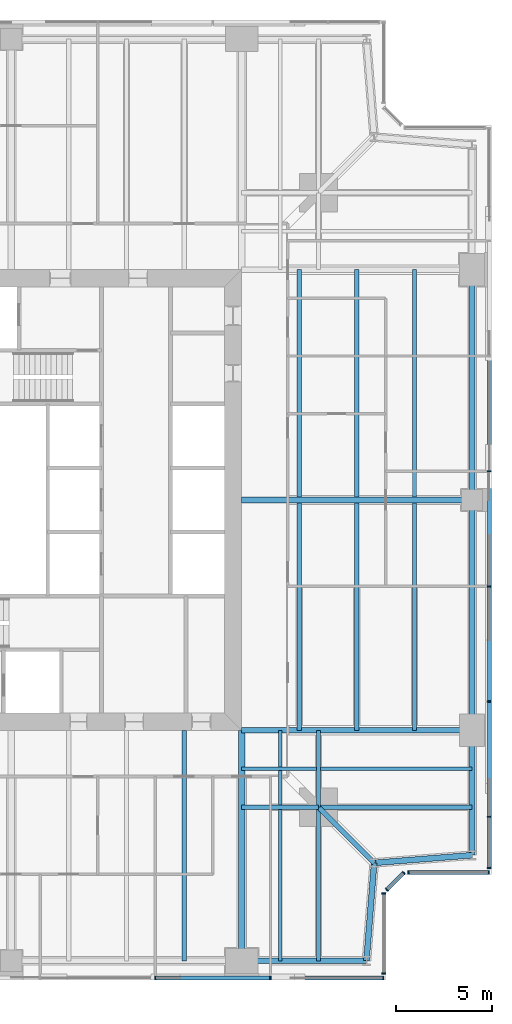
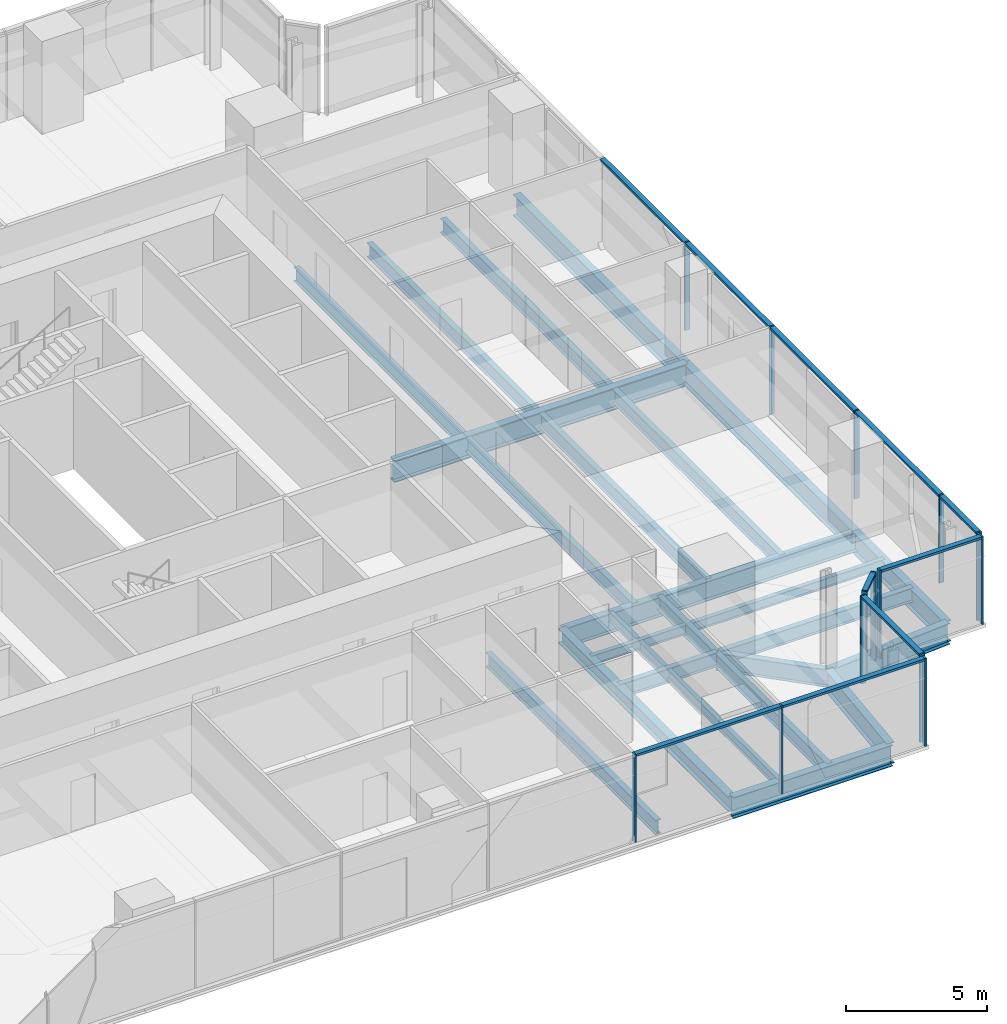
# One storey, part 5 of 15: 26 beams, 24 members, 5 elements without a shape of their own.
"""IFC4 building model written with IfcOpenShell, lengths in metres."""

from ifc_helpers import new_model, si_unit, direction, frame, origin, origin_2d, place, context, subcontext, project, spatial, rectangle, i_section, extrude, material, material_profile, profile_set, type_object, element, aggregate, save


model = new_model("IFC4")

# Units and contexts
model_context = context("Model", 3, precision=1e-05, world=origin(), true_north=direction((0.0, 1.0)))
body_context = subcontext(model_context, "Body", "Model", "MODEL_VIEW")
ifc_project = project(units=[si_unit("LENGTHUNIT", "METRE"), si_unit("AREAUNIT", "SQUARE_METRE"), si_unit("VOLUMEUNIT", "CUBIC_METRE"), si_unit("PLANEANGLEUNIT", "RADIAN"), si_unit("MASSUNIT", "GRAM", prefix="KILO")], contexts=[model_context])

# Site, building, storey
site_placement = place(None, origin())
site = spatial("IfcSite", under=ifc_project, at=site_placement, CompositionType="ELEMENT")
building_placement = place(site_placement, origin())
building = spatial("IfcBuilding", under=site, at=building_placement, Name="Fenwick Lantern Interchange", CompositionType="ELEMENT")
storey_placement = place(building_placement, frame((0.0, 0.0, 229.800048828125)))
storey = spatial("IfcBuildingStorey", under=building, at=storey_placement, Name="L54", CompositionType="ELEMENT", Elevation=229.800048828125)

# Beams
ifc_material_1 = material(Name="Steel ASTM A992 Grade 50", Category="steel")
ifc_material_profile_1 = material_profile(ifc_material_1, i_section(OverallWidth=0.3046875, OverallDepth=0.911865234375, WebThickness=0.015869140625, FlangeThickness=0.02392578125, at=origin_2d()), Name="W36X150")
ifc_profile_set_1 = profile_set([ifc_material_profile_1], Name="Steel ASTM A992 Grade 50")
beam_type_1 = type_object("IfcBeamType", Name="EDGE BEAM W36X150", PredefinedType="SPANDREL", material=ifc_profile_set_1)
beam_1_placement = place(storey_placement, frame((37.0, 1.0, -0.60595703125), z_axis=(1.0, 0.0, 0.0), x_axis=(0.0, 1.0, 0.0)))
element("IfcBeam", 1, at=beam_1_placement, inside=storey, type_object=beam_type_1, Name="L54/FR/S/EB4", PredefinedType="SPANDREL", context=body_context, shape_type="SweptSolid", body=[
    extrude(i_section(OverallWidth=0.3046875, OverallDepth=0.911865234375, WebThickness=0.015869140625, FlangeThickness=0.02392578125, at=origin_2d()), origin(), (0.0, 0.0, 1.0), 6.5),
])
for number, where, z_axis, x_axis, name in (
    (2, (43.5, 1.0, -0.60595703125), (0.078170784639, 0.99693998236, 0.0), (-0.99693998236, 0.078170784639, 0.0), "L54/FR/S/EBR1"),
    (3, (43.89990234375, 6.10009765625, -0.60595703125), (0.99693998236, 0.078170784639, 0.0), (-0.078170784639, 0.99693998236, 0.0), "L54/FR/S/EBR2"),
):
    element("IfcBeam", number, at=place(storey_placement, frame(where, z_axis=z_axis, x_axis=x_axis)), inside=storey, type_object=beam_type_1, Name=name, PredefinedType="SPANDREL", context=body_context, shape_type="SweptSolid", body=[
        extrude(i_section(OverallWidth=0.3046875, OverallDepth=0.911865234375, WebThickness=0.015869140625, FlangeThickness=0.02392578125, at=origin_2d()), origin(), (0.0, 0.0, 1.0), 5.11572265625),
    ])
beam_2_placement = place(storey_placement, frame((49.0, 6.5, -0.60595703125), z_axis=(0.0, 1.0, 0.0), x_axis=(-1.0, 0.0, 0.0)))
element("IfcBeam", 4, at=beam_2_placement, inside=storey, type_object=beam_type_1, Name="L54/FR/E/EB1", PredefinedType="SPANDREL", context=body_context, shape_type="SweptSolid", body=[
    extrude(i_section(OverallWidth=0.3046875, OverallDepth=0.911865234375, WebThickness=0.015869140625, FlangeThickness=0.02392578125, at=origin_2d()), origin(), (0.0, 0.0, 1.0), 6.5),
])
for number, where, z_axis, x_axis, name in (
    (5, (49.0, 13.0, -0.60595703125), (0.0, 1.0, 0.0), (-1.0, 0.0, 0.0), "L54/FR/E/EB2"),
    (6, (49.0, 25.0, -0.60595703125), (0.0, 1.0, 0.0), (-1.0, 0.0, 0.0), "L54/FR/E/EB3"),
):
    element("IfcBeam", number, at=place(storey_placement, frame(where, z_axis=z_axis, x_axis=x_axis)), inside=storey, type_object=beam_type_1, Name=name, PredefinedType="SPANDREL", context=body_context, shape_type="SweptSolid", body=[
        extrude(i_section(OverallWidth=0.3046875, OverallDepth=0.911865234375, WebThickness=0.015869140625, FlangeThickness=0.02392578125, at=origin_2d()), origin(), (0.0, 0.0, 1.0), 12.0),
    ])
ifc_material_profile_2 = material_profile(ifc_material_1, i_section(OverallWidth=0.22900390625, OverallDepth=0.612060546875, WebThickness=0.011962890625, FlangeThickness=0.01953125, at=origin_2d()), Name="W24X84")
ifc_profile_set_2 = profile_set([ifc_material_profile_2], Name="Steel ASTM A992 Grade 50")
beam_type_2 = type_object("IfcBeamType", Name="FLOOR BEAM W24X84", PredefinedType="BEAM", material=ifc_profile_set_2)
beam_3_placement = place(storey_placement, frame((34.0, 1.0, -0.4560546875), z_axis=(0.0, 1.0, 0.0), x_axis=(-1.0, 0.0, 0.0)))
element("IfcBeam", 7, at=beam_3_placement, inside=storey, type_object=beam_type_2, Name="L54/FR/S/R08", PredefinedType="BEAM", context=body_context, shape_type="SweptSolid", body=[
    extrude(i_section(OverallWidth=0.22900390625, OverallDepth=0.612060546875, WebThickness=0.011962890625, FlangeThickness=0.01953125, at=origin_2d()), origin(), (0.0, 0.0, 1.0), 12.0),
])
for number, where, z_axis, x_axis, name in (
    (8, (46.0, 13.0, -0.4560546875), (0.0, 1.0, 0.0), (-1.0, 0.0, 0.0), "L54/FR/E/B01"),
    (9, (43.0, 13.0, -0.4560546875), (0.0, 1.0, 0.0), (-1.0, 0.0, 0.0), "L54/FR/E/B02"),
    (10, (40.0, 13.0, -0.4560546875), (0.0, 1.0, 0.0), (-1.0, 0.0, 0.0), "L54/FR/E/B03"),
    (11, (46.0, 25.155029296875, -0.4560546875), (0.0, 1.0, 0.0), (-1.0, 0.0, 0.0), "L54/FR/E/B04"),
    (12, (43.0, 25.155029296875, -0.4560546875), (0.0, 1.0, 0.0), (-1.0, 0.0, 0.0), "L54/FR/E/B05"),
    (13, (40.0, 25.155029296875, -0.4560546875), (0.0, 1.0, 0.0), (-1.0, 0.0, 0.0), "L54/FR/E/B06"),
):
    element("IfcBeam", number, at=place(storey_placement, frame(where, z_axis=z_axis, x_axis=x_axis)), inside=storey, type_object=beam_type_2, Name=name, PredefinedType="BEAM", context=body_context, shape_type="SweptSolid", body=[
        extrude(i_section(OverallWidth=0.22900390625, OverallDepth=0.612060546875, WebThickness=0.011962890625, FlangeThickness=0.01953125, at=origin_2d()), origin(), (0.0, 0.0, 1.0), 11.844970703125),
    ])
ifc_material_profile_3 = material_profile(ifc_material_1, i_section(OverallWidth=0.177734375, OverallDepth=0.406494140625, WebThickness=0.0078125, FlangeThickness=0.012939453125, at=origin_2d()), Name="W16X40")
ifc_profile_set_3 = profile_set([ifc_material_profile_3], Name="Steel ASTM A992 Grade 50")
beam_type_3 = type_object("IfcBeamType", Name="INFILL BEAM W16X40", PredefinedType="JOIST", material=ifc_profile_set_3)
beam_4_placement = place(storey_placement, frame((49.0, 11.0, -0.353271484375), z_axis=(-1.0, 0.0, 0.0), x_axis=(0.0, -1.0, 0.0)))
element("IfcBeam", 14, at=beam_4_placement, inside=storey, type_object=beam_type_3, Name="L54/FR/E/J1", PredefinedType="JOIST", context=body_context, shape_type="SweptSolid", body=[
    extrude(i_section(OverallWidth=0.177734375, OverallDepth=0.406494140625, WebThickness=0.0078125, FlangeThickness=0.012939453125, at=origin_2d()), origin(), (0.0, 0.0, 1.0), 7.885498046875),
])
beam_5_placement = place(storey_placement, frame((40.885498046875, 11.0, -0.353271484375), z_axis=(-1.0, 0.0, 0.0), x_axis=(0.0, -1.0, 0.0)))
element("IfcBeam", 15, at=beam_5_placement, inside=storey, type_object=beam_type_3, Name="L54/FR/E/J2", PredefinedType="JOIST", context=body_context, shape_type="SweptSolid", body=[
    extrude(i_section(OverallWidth=0.177734375, OverallDepth=0.406494140625, WebThickness=0.0078125, FlangeThickness=0.012939453125, at=origin_2d()), origin(), (0.0, 0.0, 1.0), 3.885498046875),
])
beam_6_placement = place(storey_placement, frame((39.0, 1.0, -0.353271484375), z_axis=(0.0, 1.0, 0.0), x_axis=(-1.0, 0.0, 0.0)))
element("IfcBeam", 16, at=beam_6_placement, inside=storey, type_object=beam_type_3, Name="L54/FR/E/J3", PredefinedType="JOIST", context=body_context, shape_type="SweptSolid", body=[
    extrude(i_section(OverallWidth=0.177734375, OverallDepth=0.406494140625, WebThickness=0.0078125, FlangeThickness=0.012939453125, at=origin_2d()), origin(), (0.0, 0.0, 1.0), 7.885498046875),
])
beam_7_placement = place(storey_placement, frame((39.0, 9.114501953125, -0.353271484375), z_axis=(0.0, 1.0, 0.0), x_axis=(-1.0, 0.0, 0.0)))
element("IfcBeam", 17, at=beam_7_placement, inside=storey, type_object=beam_type_3, Name="L54/FR/E/J4", PredefinedType="JOIST", context=body_context, shape_type="SweptSolid", body=[
    extrude(i_section(OverallWidth=0.177734375, OverallDepth=0.406494140625, WebThickness=0.0078125, FlangeThickness=0.012939453125, at=origin_2d()), origin(), (0.0, 0.0, 1.0), 1.796630859375),
])
beam_8_placement = place(storey_placement, frame((39.0, 11.0888671875, -0.353271484375), z_axis=(0.0, 1.0, 0.0), x_axis=(-1.0, 0.0, 0.0)))
element("IfcBeam", 18, at=beam_8_placement, inside=storey, type_object=beam_type_3, Name="L54/FR/E/J5", PredefinedType="JOIST", context=body_context, shape_type="SweptSolid", body=[
    extrude(i_section(OverallWidth=0.177734375, OverallDepth=0.406494140625, WebThickness=0.0078125, FlangeThickness=0.012939453125, at=origin_2d()), origin(), (0.0, 0.0, 1.0), 1.9111328125),
])
ifc_material_profile_4 = material_profile(ifc_material_1, i_section(OverallWidth=0.22900390625, OverallDepth=0.612060546875, WebThickness=0.011962890625, FlangeThickness=0.01953125, at=origin_2d()), Name="W24X84")
ifc_profile_set_4 = profile_set([ifc_material_profile_4], Name="Steel ASTM A992 Grade 50")
beam_type_4 = type_object("IfcBeamType", Name="MEGA COLUMN BEAM W24X84", PredefinedType="BEAM", material=ifc_profile_set_4)
for number, where, z_axis, x_axis, name in (
    (19, (41.0, 9.0, -0.4560546875), (1.0, 0.0, 0.0), (0.0, 1.0, 0.0), "L54/FR/E/MB1"),
    (20, (41.0, 9.0, -0.4560546875), (0.0, -1.0, 0.0), (1.0, 0.0, 0.0), "L54/FR/E/MB2"),
):
    element("IfcBeam", number, at=place(storey_placement, frame(where, z_axis=z_axis, x_axis=x_axis)), inside=storey, type_object=beam_type_4, Name=name, PredefinedType="BEAM", context=body_context, shape_type="SweptSolid", body=[
        extrude(i_section(OverallWidth=0.22900390625, OverallDepth=0.612060546875, WebThickness=0.011962890625, FlangeThickness=0.01953125, at=origin_2d()), origin(), (0.0, 0.0, 1.0), 8.0),
    ])
for number, where, z_axis, x_axis, name in (
    (21, (41.0, 9.0, -0.4560546875), (0.0, 1.0, 0.0), (-1.0, 0.0, 0.0), "L54/FR/E/MB3"),
    (22, (41.0, 9.0, -0.4560546875), (-1.0, 0.0, 0.0), (0.0, -1.0, 0.0), "L54/FR/E/MB4"),
):
    element("IfcBeam", number, at=place(storey_placement, frame(where, z_axis=z_axis, x_axis=x_axis)), inside=storey, type_object=beam_type_4, Name=name, PredefinedType="BEAM", context=body_context, shape_type="SweptSolid", body=[
        extrude(i_section(OverallWidth=0.22900390625, OverallDepth=0.612060546875, WebThickness=0.011962890625, FlangeThickness=0.01953125, at=origin_2d()), origin(), (0.0, 0.0, 1.0), 4.0),
    ])
ifc_material_profile_5 = material_profile(ifc_material_1, i_section(OverallWidth=0.32763671875, OverallDepth=0.622314453125, WebThickness=0.015380859375, FlangeThickness=0.0244140625, at=origin_2d()), Name="W24X131")
ifc_profile_set_5 = profile_set([ifc_material_profile_5], Name="Steel ASTM A992 Grade 50")
beam_type_5 = type_object("IfcBeamType", Name="MOMENT-CONNECTED GIRDER W24X131", PredefinedType="BEAM", material=ifc_profile_set_5)
beam_9_placement = place(storey_placement, frame((37.0, 1.0, -0.461181640625), z_axis=(0.0, 1.0, 0.0), x_axis=(-1.0, 0.0, 0.0)))
element("IfcBeam", 23, at=beam_9_placement, inside=storey, type_object=beam_type_5, Name="L54/FR/S/R09", PredefinedType="BEAM", context=body_context, shape_type="SweptSolid", body=[
    extrude(i_section(OverallWidth=0.32763671875, OverallDepth=0.622314453125, WebThickness=0.015380859375, FlangeThickness=0.0244140625, at=origin_2d()), origin(), (0.0, 0.0, 1.0), 12.0),
])
ifc_material_profile_6 = material_profile(ifc_material_1, i_section(OverallWidth=0.2919921875, OverallDepth=0.845703125, WebThickness=0.015380859375, FlangeThickness=0.0244140625, at=origin_2d()), Name="W33X141")
ifc_profile_set_6 = profile_set([ifc_material_profile_6], Name="Steel ASTM A992 Grade 50")
beam_type_6 = type_object("IfcBeamType", Name="MOMENT-CONNECTED GIRDER W33X141", PredefinedType="BEAM", material=ifc_profile_set_6)
beam_10_placement = place(storey_placement, frame((49.0, 13.0, -0.572998046875), z_axis=(-1.0, 0.0, 0.0), x_axis=(0.0, -1.0, 0.0)))
element("IfcBeam", 24, at=beam_10_placement, inside=storey, type_object=beam_type_6, Name="L54/FR/E/R01", PredefinedType="BEAM", context=body_context, shape_type="SweptSolid", body=[
    extrude(i_section(OverallWidth=0.2919921875, OverallDepth=0.845703125, WebThickness=0.015380859375, FlangeThickness=0.0244140625, at=origin_2d()), origin(), (0.0, 0.0, 1.0), 12.0),
])
ifc_material_profile_7 = material_profile(ifc_material_1, i_section(OverallWidth=0.309814453125, OverallDepth=0.949951171875, WebThickness=0.0244140625, FlangeThickness=0.0439453125, at=origin_2d()), Name="W36X256")
ifc_profile_set_7 = profile_set([ifc_material_profile_7], Name="Steel ASTM A992 Grade 50")
beam_type_7 = type_object("IfcBeamType", Name="MOMENT-CONNECTED GIRDER W36X256", PredefinedType="BEAM", material=ifc_profile_set_7)
beam_11_placement = place(storey_placement, frame((49.0, 25.0, -0.625), z_axis=(-1.0, 0.0, 0.0), x_axis=(0.0, -1.0, 0.0)))
element("IfcBeam", 25, at=beam_11_placement, inside=storey, type_object=beam_type_7, Name="L54/FR/E/R02", PredefinedType="BEAM", context=body_context, shape_type="SweptSolid", body=[
    extrude(i_section(OverallWidth=0.309814453125, OverallDepth=0.949951171875, WebThickness=0.0244140625, FlangeThickness=0.0439453125, at=origin_2d()), origin(), (0.0, 0.0, 1.0), 12.0),
])
ifc_material_profile_8 = material_profile(ifc_material_1, i_section(OverallWidth=0.2666015625, OverallDepth=0.7568359375, WebThickness=0.013916015625, FlangeThickness=0.019287109375, at=origin_2d()), Name="W30X108")
ifc_profile_set_8 = profile_set([ifc_material_profile_8], Name="Steel ASTM A992 Grade 50")
beam_type_8 = type_object("IfcBeamType", Name="NOTCH BEAM W30X108", PredefinedType="BEAM", material=ifc_profile_set_8)
beam_12_placement = place(storey_placement, frame((41.0, 9.0, -0.528564453125), z_axis=(0.707106781187, -0.707106781187, 0.0), x_axis=(0.707106781187, 0.707106781187, 0.0)))
element("IfcBeam", 26, at=beam_12_placement, inside=storey, type_object=beam_type_8, Name="L54/FR/E/TG", PredefinedType="BEAM", context=body_context, shape_type="SweptSolid", body=[
    extrude(i_section(OverallWidth=0.2666015625, OverallDepth=0.7568359375, WebThickness=0.013916015625, FlangeThickness=0.019287109375, at=origin_2d()), origin(), (0.0, 0.0, 1.0), 4.10107421875),
])

# Curtain wall, members
ifc_material_2 = material(Name="Aluminium curtain wall frame", Category="aluminium")
curtain_wall_type = type_object("IfcCurtainWallType", Name="OFFICE CURTAIN WALL", PredefinedType="USERDEFINED", material=ifc_material_2)
curtain_wall_1_placement = place(storey_placement, origin())
curtain_wall_1 = element("IfcCurtainWall", 27, at=curtain_wall_1_placement, inside=storey, type_object=curtain_wall_type, Name="Office curtain wall 01", ObjectType="OFFICE CURTAIN WALL", PredefinedType="USERDEFINED")
ifc_material_3 = material(Name="Aluminium extrusion", Category="aluminium")
ifc_material_profile_9 = material_profile(ifc_material_3, rectangle(XDim=0.199951171875, YDim=0.06494140625, at=origin_2d()), Name="OFFICE CURTAIN WALL MULLION 65 X 200")
ifc_profile_set_9 = profile_set([ifc_material_profile_9], Name="Aluminium extrusion")
member_type_1 = type_object("IfcMemberType", Name="OFFICE CURTAIN WALL MULLION 65 X 200", PredefinedType="MULLION", material=ifc_profile_set_9)
member_1_placement = place(storey_placement, frame((32.5, 0.10009765625, 0.0), z_axis=(0.0, 0.0, 1.0), x_axis=(0.0, 1.0, 0.0)))
member_1 = element("IfcMember", 28, at=member_1_placement, type_object=member_type_1, Name="L54/CW/01/M05", PredefinedType="MULLION", context=body_context, shape_type="SweptSolid", body=[
    extrude(rectangle(XDim=0.199951171875, YDim=0.06494140625, at=origin_2d()), origin(), (0.0, 0.0, 1.0), 3.800048828125),
])
member_2_placement = place(storey_placement, frame((38.5, 0.10009765625, 0.0), z_axis=(0.0, 0.0, 1.0), x_axis=(0.0, 1.0, 0.0)))
member_2 = element("IfcMember", 29, at=member_2_placement, type_object=member_type_1, Name="L54/CW/01/M06", PredefinedType="MULLION", context=body_context, shape_type="SweptSolid", body=[
    extrude(rectangle(XDim=0.199951171875, YDim=0.06494140625, at=origin_2d()), origin(), (0.0, 0.0, 1.0), 3.800048828125),
])
member_3_placement = place(storey_placement, frame((44.367431640625, 0.10009765625, 0.0), z_axis=(0.0, 0.0, 1.0), x_axis=(0.0, 1.0, 0.0)))
member_3 = element("IfcMember", 30, at=member_3_placement, type_object=member_type_1, Name="L54/CW/01/M07", PredefinedType="MULLION", context=body_context, shape_type="SweptSolid", body=[
    extrude(rectangle(XDim=0.199951171875, YDim=0.06494140625, at=origin_2d()), origin(), (0.0, 0.0, 1.0), 3.800048828125),
])

curtain_wall_2_placement = place(storey_placement, origin())
curtain_wall_2 = element("IfcCurtainWall", 31, at=curtain_wall_2_placement, inside=storey, type_object=curtain_wall_type, Name="Office curtain wall 02", ObjectType="OFFICE CURTAIN WALL", PredefinedType="USERDEFINED")
member_4_placement = place(storey_placement, frame((44.39990234375, 0.33251953125, 0.0), z_axis=(0.0, 0.0, 1.0), x_axis=(-1.0, 0.0, 0.0)))
member_4 = element("IfcMember", 32, at=member_4_placement, type_object=member_type_1, Name="L54/CW/02/M00", PredefinedType="MULLION", context=body_context, shape_type="SweptSolid", body=[
    extrude(rectangle(XDim=0.199951171875, YDim=0.06494140625, at=origin_2d()), origin(), (0.0, 0.0, 1.0), 3.800048828125),
])
member_5_placement = place(storey_placement, frame((44.39990234375, 4.509033203125, 0.0), z_axis=(0.0, 0.0, 1.0), x_axis=(-1.0, 0.0, 0.0)))
member_5 = element("IfcMember", 33, at=member_5_placement, type_object=member_type_1, Name="L54/CW/02/M01", PredefinedType="MULLION", context=body_context, shape_type="SweptSolid", body=[
    extrude(rectangle(XDim=0.199951171875, YDim=0.06494140625, at=origin_2d()), origin(), (0.0, 0.0, 1.0), 3.800048828125),
])

curtain_wall_3_placement = place(storey_placement, origin())
curtain_wall_3 = element("IfcCurtainWall", 34, at=curtain_wall_3_placement, inside=storey, type_object=curtain_wall_type, Name="Office curtain wall 03", ObjectType="OFFICE CURTAIN WALL", PredefinedType="USERDEFINED")
member_6_placement = place(storey_placement, frame((44.564453125, 4.705810546875, 0.0), z_axis=(0.0, 0.0, 1.0), x_axis=(-0.707106781187, 0.707106781187, 0.0)))
member_6 = element("IfcMember", 35, at=member_6_placement, type_object=member_type_1, Name="L54/CW/03/M00", PredefinedType="MULLION", context=body_context, shape_type="SweptSolid", body=[
    extrude(rectangle(XDim=0.199951171875, YDim=0.06494140625, at=origin_2d()), origin(), (0.0, 0.0, 1.0), 3.800048828125),
])
member_7_placement = place(storey_placement, frame((45.435546875, 5.576904296875, 0.0), z_axis=(0.0, 0.0, 1.0), x_axis=(-0.707106781187, 0.707106781187, 0.0)))
member_7 = element("IfcMember", 36, at=member_7_placement, type_object=member_type_1, Name="L54/CW/03/M01", PredefinedType="MULLION", context=body_context, shape_type="SweptSolid", body=[
    extrude(rectangle(XDim=0.199951171875, YDim=0.06494140625, at=origin_2d()), origin(), (0.0, 0.0, 1.0), 3.800048828125),
])

curtain_wall_4_placement = place(storey_placement, origin())
curtain_wall_4 = element("IfcCurtainWall", 37, at=curtain_wall_4_placement, inside=storey, type_object=curtain_wall_type, Name="Office curtain wall 04", ObjectType="OFFICE CURTAIN WALL", PredefinedType="USERDEFINED")
member_8_placement = place(storey_placement, frame((45.691162109375, 5.60009765625, 0.0), z_axis=(0.0, 0.0, 1.0), x_axis=(0.0, 1.0, 0.0)))
member_8 = element("IfcMember", 38, at=member_8_placement, type_object=member_type_1, Name="L54/CW/04/M00", PredefinedType="MULLION", context=body_context, shape_type="SweptSolid", body=[
    extrude(rectangle(XDim=0.199951171875, YDim=0.06494140625, at=origin_2d()), origin(), (0.0, 0.0, 1.0), 3.800048828125),
])
member_9_placement = place(storey_placement, frame((49.867431640625, 5.60009765625, 0.0), z_axis=(0.0, 0.0, 1.0), x_axis=(0.0, 1.0, 0.0)))
member_9 = element("IfcMember", 39, at=member_9_placement, type_object=member_type_1, Name="L54/CW/04/M01", PredefinedType="MULLION", context=body_context, shape_type="SweptSolid", body=[
    extrude(rectangle(XDim=0.199951171875, YDim=0.06494140625, at=origin_2d()), origin(), (0.0, 0.0, 1.0), 3.800048828125),
])

curtain_wall_5_placement = place(storey_placement, origin())
curtain_wall_5 = element("IfcCurtainWall", 40, at=curtain_wall_5_placement, inside=storey, type_object=curtain_wall_type, Name="Office curtain wall 05", ObjectType="OFFICE CURTAIN WALL", PredefinedType="USERDEFINED")
member_10_placement = place(storey_placement, frame((49.89990234375, 5.83251953125, 0.0), z_axis=(0.0, 0.0, 1.0), x_axis=(-1.0, 0.0, 0.0)))
member_10 = element("IfcMember", 41, at=member_10_placement, type_object=member_type_1, Name="L54/CW/05/M00", PredefinedType="MULLION", context=body_context, shape_type="SweptSolid", body=[
    extrude(rectangle(XDim=0.199951171875, YDim=0.06494140625, at=origin_2d()), origin(), (0.0, 0.0, 1.0), 3.800048828125),
])
member_11_placement = place(storey_placement, frame((49.89990234375, 8.5, 0.0), z_axis=(0.0, 0.0, 1.0), x_axis=(-1.0, 0.0, 0.0)))
member_11 = element("IfcMember", 42, at=member_11_placement, type_object=member_type_1, Name="L54/CW/05/M01", PredefinedType="MULLION", context=body_context, shape_type="SweptSolid", body=[
    extrude(rectangle(XDim=0.199951171875, YDim=0.06494140625, at=origin_2d()), origin(), (0.0, 0.0, 1.0), 3.800048828125),
])
member_12_placement = place(storey_placement, frame((49.89990234375, 14.5, 0.0), z_axis=(0.0, 0.0, 1.0), x_axis=(-1.0, 0.0, 0.0)))
member_12 = element("IfcMember", 43, at=member_12_placement, type_object=member_type_1, Name="L54/CW/05/M02", PredefinedType="MULLION", context=body_context, shape_type="SweptSolid", body=[
    extrude(rectangle(XDim=0.199951171875, YDim=0.06494140625, at=origin_2d()), origin(), (0.0, 0.0, 1.0), 3.800048828125),
])
member_13_placement = place(storey_placement, frame((49.89990234375, 20.5, 0.0), z_axis=(0.0, 0.0, 1.0), x_axis=(-1.0, 0.0, 0.0)))
member_13 = element("IfcMember", 44, at=member_13_placement, type_object=member_type_1, Name="L54/CW/05/M03", PredefinedType="MULLION", context=body_context, shape_type="SweptSolid", body=[
    extrude(rectangle(XDim=0.199951171875, YDim=0.06494140625, at=origin_2d()), origin(), (0.0, 0.0, 1.0), 3.800048828125),
])
member_14_placement = place(storey_placement, frame((49.89990234375, 26.5, 0.0), z_axis=(0.0, 0.0, 1.0), x_axis=(-1.0, 0.0, 0.0)))
member_14 = element("IfcMember", 45, at=member_14_placement, type_object=member_type_1, Name="L54/CW/05/M04", PredefinedType="MULLION", context=body_context, shape_type="SweptSolid", body=[
    extrude(rectangle(XDim=0.199951171875, YDim=0.06494140625, at=origin_2d()), origin(), (0.0, 0.0, 1.0), 3.800048828125),
])

# Member
ifc_material_profile_10 = material_profile(ifc_material_3, rectangle(XDim=0.199951171875, YDim=0.10009765625, at=origin_2d()), Name="OFFICE CURTAIN WALL TRANSOM 100 X 200")
ifc_profile_set_10 = profile_set([ifc_material_profile_10], Name="Aluminium extrusion")
member_type_2 = type_object("IfcMemberType", Name="OFFICE CURTAIN WALL TRANSOM 100 X 200", PredefinedType="MULLION", material=ifc_profile_set_10)
member_15_placement = place(storey_placement, frame((32.532470703125, 0.10009765625, 3.75), z_axis=(1.0, 0.0, 0.0), x_axis=(0.0, 1.0, 0.0)))
member_15 = element("IfcMember", 46, at=member_15_placement, type_object=member_type_2, Name="L54/CW/01/T05", PredefinedType="MULLION", context=body_context, shape_type="SweptSolid", body=[
    extrude(rectangle(XDim=0.199951171875, YDim=0.10009765625, at=origin_2d()), origin(), (0.0, 0.0, 1.0), 5.93505859375),
])

member_16_placement = place(storey_placement, frame((38.532470703125, 0.10009765625, 3.75), z_axis=(1.0, 0.0, 0.0), x_axis=(0.0, 1.0, 0.0)))
member_16 = element("IfcMember", 47, at=member_16_placement, type_object=member_type_2, Name="L54/CW/01/T06", PredefinedType="MULLION", context=body_context, shape_type="SweptSolid", body=[
    extrude(rectangle(XDim=0.199951171875, YDim=0.10009765625, at=origin_2d()), origin(), (0.0, 0.0, 1.0), 5.802490234375),
])

aggregate(curtain_wall_1, [member_1, member_2, member_3, member_15, member_16])

member_17_placement = place(storey_placement, frame((44.39990234375, 0.364990234375, 3.75), z_axis=(0.0, 1.0, 0.0), x_axis=(-1.0, 0.0, 0.0)))
member_17 = element("IfcMember", 48, at=member_17_placement, type_object=member_type_2, Name="L54/CW/02/T00", PredefinedType="MULLION", context=body_context, shape_type="SweptSolid", body=[
    extrude(rectangle(XDim=0.199951171875, YDim=0.10009765625, at=origin_2d()), origin(), (0.0, 0.0, 1.0), 4.111328125),
])

aggregate(curtain_wall_2, [member_4, member_5, member_17])

member_18_placement = place(storey_placement, frame((44.58740234375, 4.728759765625, 3.75), z_axis=(0.707106781187, 0.707106781187, 0.0), x_axis=(-0.707106781187, 0.707106781187, 0.0)))
member_18 = element("IfcMember", 49, at=member_18_placement, type_object=member_type_2, Name="L54/CW/03/T00", PredefinedType="MULLION", context=body_context, shape_type="SweptSolid", body=[
    extrude(rectangle(XDim=0.199951171875, YDim=0.10009765625, at=origin_2d()), origin(), (0.0, 0.0, 1.0), 1.1669921875),
])

aggregate(curtain_wall_3, [member_6, member_7, member_18])

member_19_placement = place(storey_placement, frame((45.7236328125, 5.60009765625, 3.75), z_axis=(1.0, 0.0, 0.0), x_axis=(0.0, 1.0, 0.0)))
member_19 = element("IfcMember", 50, at=member_19_placement, type_object=member_type_2, Name="L54/CW/04/T00", PredefinedType="MULLION", context=body_context, shape_type="SweptSolid", body=[
    extrude(rectangle(XDim=0.199951171875, YDim=0.10009765625, at=origin_2d()), origin(), (0.0, 0.0, 1.0), 4.111328125),
])

aggregate(curtain_wall_4, [member_8, member_9, member_19])

member_20_placement = place(storey_placement, frame((49.89990234375, 5.864990234375, 3.75), z_axis=(0.0, 1.0, 0.0), x_axis=(-1.0, 0.0, 0.0)))
member_20 = element("IfcMember", 51, at=member_20_placement, type_object=member_type_2, Name="L54/CW/05/T00", PredefinedType="MULLION", context=body_context, shape_type="SweptSolid", body=[
    extrude(rectangle(XDim=0.199951171875, YDim=0.10009765625, at=origin_2d()), origin(), (0.0, 0.0, 1.0), 2.6025390625),
])

member_21_placement = place(storey_placement, frame((49.89990234375, 8.532470703125, 3.75), z_axis=(0.0, 1.0, 0.0), x_axis=(-1.0, 0.0, 0.0)))
member_21 = element("IfcMember", 52, at=member_21_placement, type_object=member_type_2, Name="L54/CW/05/T01", PredefinedType="MULLION", context=body_context, shape_type="SweptSolid", body=[
    extrude(rectangle(XDim=0.199951171875, YDim=0.10009765625, at=origin_2d()), origin(), (0.0, 0.0, 1.0), 5.93505859375),
])

member_22_placement = place(storey_placement, frame((49.89990234375, 14.532470703125, 3.75), z_axis=(0.0, 1.0, 0.0), x_axis=(-1.0, 0.0, 0.0)))
member_22 = element("IfcMember", 53, at=member_22_placement, type_object=member_type_2, Name="L54/CW/05/T02", PredefinedType="MULLION", context=body_context, shape_type="SweptSolid", body=[
    extrude(rectangle(XDim=0.199951171875, YDim=0.10009765625, at=origin_2d()), origin(), (0.0, 0.0, 1.0), 5.93505859375),
])

member_23_placement = place(storey_placement, frame((49.89990234375, 20.532470703125, 3.75), z_axis=(0.0, 1.0, 0.0), x_axis=(-1.0, 0.0, 0.0)))
member_23 = element("IfcMember", 54, at=member_23_placement, type_object=member_type_2, Name="L54/CW/05/T03", PredefinedType="MULLION", context=body_context, shape_type="SweptSolid", body=[
    extrude(rectangle(XDim=0.199951171875, YDim=0.10009765625, at=origin_2d()), origin(), (0.0, 0.0, 1.0), 5.93505859375),
])

member_24_placement = place(storey_placement, frame((49.89990234375, 26.532470703125, 3.75), z_axis=(0.0, 1.0, 0.0), x_axis=(-1.0, 0.0, 0.0)))
member_24 = element("IfcMember", 55, at=member_24_placement, type_object=member_type_2, Name="L54/CW/05/T04", PredefinedType="MULLION", context=body_context, shape_type="SweptSolid", body=[
    extrude(rectangle(XDim=0.199951171875, YDim=0.10009765625, at=origin_2d()), origin(), (0.0, 0.0, 1.0), 5.93505859375),
])

aggregate(curtain_wall_5, [member_10, member_11, member_12, member_13, member_14, member_20, member_21, member_22, member_23, member_24])

save(model, "model.ifc")
